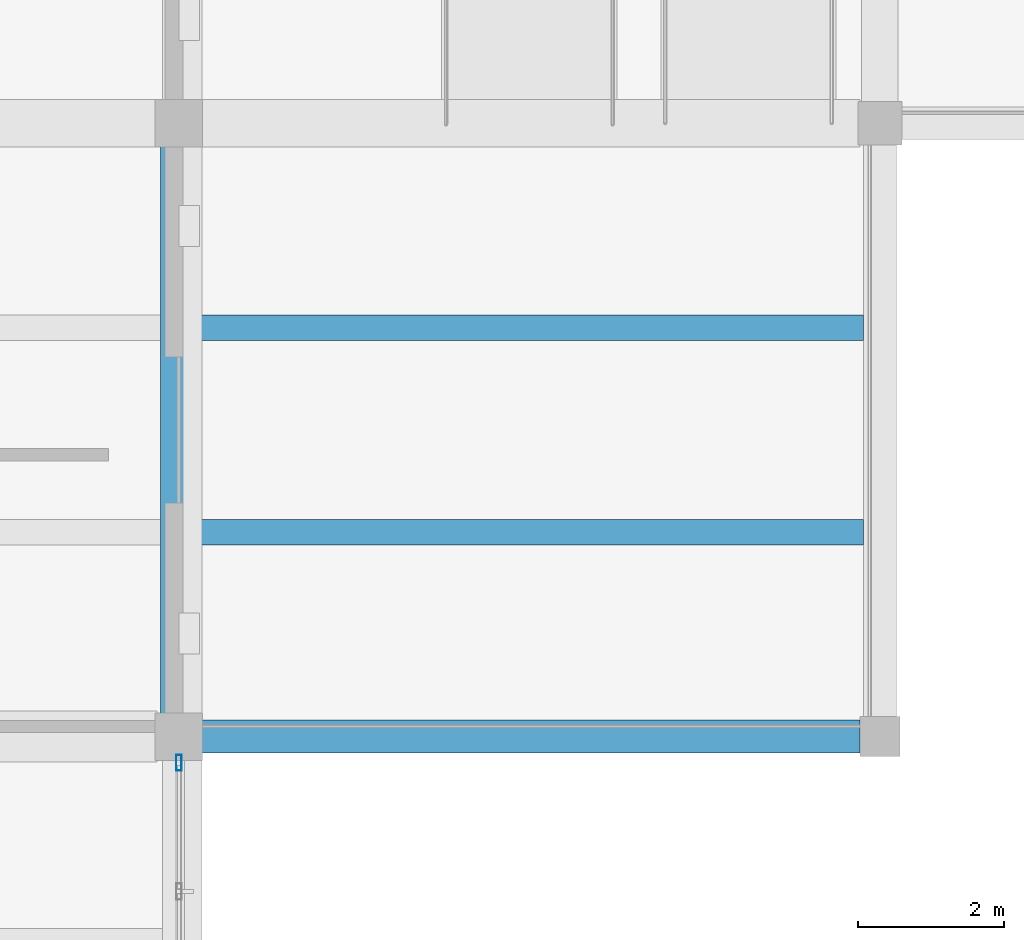
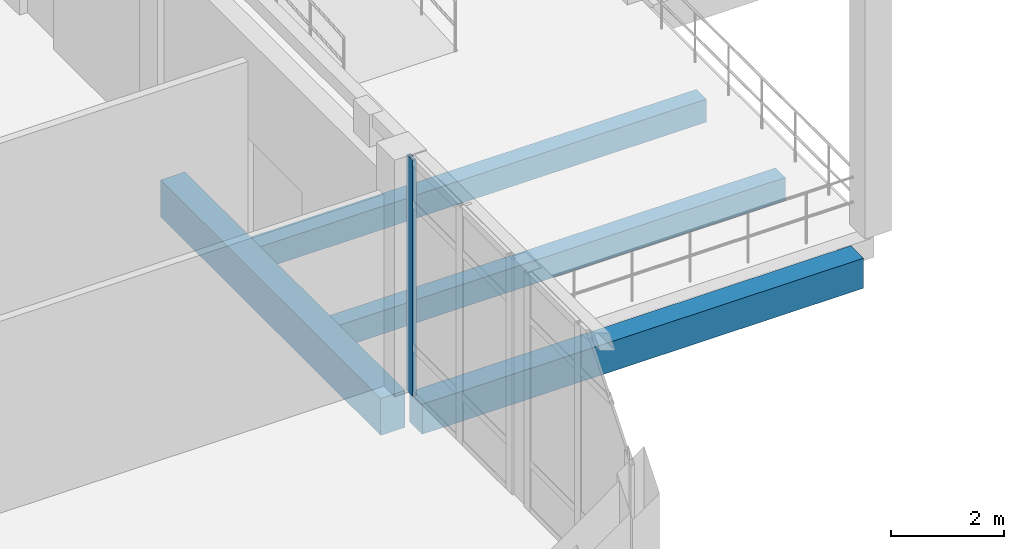
# One storey, part 37 of 71: 4 beams, 1 member, 1 element without a shape of its own.
"""IFC4 building model written with IfcOpenShell, lengths in metres."""

from ifc_helpers import new_model, si_unit, direction, frame, origin, origin_2d, place, context, subcontext, project, spatial, rectangle, hollow_rectangle, extrude, material, layer, layer_set, material_profile, profile_set, type_object, element, aggregate, save


model = new_model("IFC4")

# Units and contexts
model_context = context("Model", 3, precision=1e-05, world=origin(), true_north=direction((0.0, 1.0)))
body_context = subcontext(model_context, "Body", "Model", "MODEL_VIEW")
ifc_project = project(units=[si_unit("LENGTHUNIT", "METRE"), si_unit("AREAUNIT", "SQUARE_METRE"), si_unit("VOLUMEUNIT", "CUBIC_METRE"), si_unit("PLANEANGLEUNIT", "RADIAN"), si_unit("MASSUNIT", "GRAM", prefix="KILO")], contexts=[model_context])

# Site, building, storey
site_placement = place(None, origin())
site = spatial("IfcSite", under=ifc_project, at=site_placement, CompositionType="ELEMENT")
building_placement = place(site_placement, origin())
building = spatial("IfcBuilding", under=site, at=building_placement, Name="Lornevale Opera House", CompositionType="ELEMENT")
storey_placement = place(building_placement, origin())
storey = spatial("IfcBuildingStorey", under=building, at=storey_placement, Name="L01", CompositionType="ELEMENT", Elevation=0.0)

# Beams
ifc_material_1 = material(Name="Concrete 35 MPa (CSA A23.1 N)", Category="concrete")
ifc_material_profile_1 = material_profile(ifc_material_1, rectangle(XDim=0.5, YDim=0.800048828125, at=origin_2d()), Name="RC500x800")
ifc_profile_set_1 = profile_set([ifc_material_profile_1], Name="Concrete 35 MPa (CSA A23.1 N)")
beam_type_1 = type_object("IfcBeamType", Name="Concrete Floor Beam 500x800", PredefinedType="USERDEFINED", material=ifc_profile_set_1)
beam_1_placement = place(storey_placement, frame((153.60009765625, 17.10009765625, -0.840087890625), z_axis=(0.0, 1.0, 0.0), x_axis=(-1.0, 0.0, 0.0)))
element("IfcBeam", 1, at=beam_1_placement, inside=storey, type_object=beam_type_1, Name="Concrete Floor Beam 500x800 1274", ObjectType="GIRDER", PredefinedType="USERDEFINED", context=body_context, shape_type="SweptSolid", body=[
    extrude(rectangle(XDim=0.5, YDim=0.800048828125, at=origin_2d()), origin(), (0.0, 0.0, 1.0), 7.7998046875),
])
ifc_material_profile_2 = material_profile(ifc_material_1, rectangle(XDim=0.35009765625, YDim=0.5, at=origin_2d()), Name="RC350x500")
ifc_profile_set_2 = profile_set([ifc_material_profile_2], Name="Concrete 35 MPa (CSA A23.1 N)")
beam_type_2 = type_object("IfcBeamType", Name="Concrete Secondary Rib 350x500", PredefinedType="JOIST", material=ifc_profile_set_2)
for number, where, z_axis, x_axis, name in (
    (2, (153.85009765625, 19.60009765625, -0.68994140625), (1.0, 0.0, 0.0), (0.0, 1.0, 0.0), "Concrete Secondary Rib 350x500 1661"),
    (3, (153.85009765625, 22.39990234375, -0.68994140625), (1.0, 0.0, 0.0), (0.0, 1.0, 0.0), "Concrete Secondary Rib 350x500 1662"),
):
    element("IfcBeam", number, at=place(storey_placement, frame(where, z_axis=z_axis, x_axis=x_axis)), inside=storey, type_object=beam_type_2, Name=name, PredefinedType="JOIST", context=body_context, shape_type="SweptSolid", body=[
        extrude(rectangle(XDim=0.35009765625, YDim=0.5, at=origin_2d()), origin(), (0.0, 0.0, 1.0), 9.125),
    ])
ifc_material_profile_3 = material_profile(ifc_material_1, rectangle(XDim=0.449951171875, YDim=0.64990234375, at=origin_2d()), Name="RC450x650")
ifc_profile_set_3 = profile_set([ifc_material_profile_3], Name="Concrete 35 MPa (CSA A23.1 N)")
beam_type_3 = type_object("IfcBeamType", Name="Concrete Spandrel Beam 450x650", PredefinedType="SPANDREL", material=ifc_profile_set_3)
beam_2_placement = place(storey_placement, frame((153.89990234375, 16.800048828125, -0.764892578125), z_axis=(1.0, 0.0, 0.0), x_axis=(0.0, 1.0, 0.0)))
element("IfcBeam", 4, at=beam_2_placement, inside=storey, type_object=beam_type_3, Name="Concrete Spandrel Beam 450x650 0888", PredefinedType="SPANDREL", context=body_context, shape_type="SweptSolid", body=[
    extrude(rectangle(XDim=0.449951171875, YDim=0.64990234375, at=origin_2d()), origin(), (0.0, 0.0, 1.0), 9.025146484375),
])

# Curtain wall, member
ifc_material_2 = material(Name="Anodized Oxide-Green Aluminium Framing", Category="aluminium")
ifc_layer = layer(ifc_material_2, 0.215087890625)
ifc_layer_set = layer_set([ifc_layer], Name="Anodized Oxide-Green Aluminium Framing")
curtain_wall_type = type_object("IfcCurtainWallType", Name="Grand Foyer Curtain Wall M2000", PredefinedType="NOTDEFINED", material=ifc_layer_set)
curtain_wall_placement = place(storey_placement, origin())
curtain_wall = element("IfcCurtainWall", 5, at=curtain_wall_placement, inside=storey, type_object=curtain_wall_type, Name="Grand Foyer Curtain Wall M2000 CW-019", PredefinedType="NOTDEFINED")
ifc_material_profile_4 = material_profile(ifc_material_2, hollow_rectangle(XDim=0.074951171875, YDim=0.219970703125, WallThickness=0.0048828125, at=origin_2d()), Name="ALU75x220x5")
ifc_profile_set_4 = profile_set([ifc_material_profile_4], Name="Anodized Oxide-Green Aluminium Framing")
member_type = type_object("IfcMemberType", Name="Curtain Wall Mullion 75x220", PredefinedType="MULLION", material=ifc_profile_set_4)
member_placement = place(storey_placement, frame((153.60009765625, 16.44140625, 0.0), z_axis=(0.0, 0.0, 1.0), x_axis=(1.0, 0.0, 0.0)))
member = element("IfcMember", 6, at=member_placement, type_object=member_type, Name="Curtain Wall Mullion 75x220 CW0307", PredefinedType="MULLION", context=body_context, shape_type="SweptSolid", body=[
    extrude(hollow_rectangle(XDim=0.074951171875, YDim=0.219970703125, WallThickness=0.0048828125, at=origin_2d()), origin(), (0.0, 0.0, 1.0), 5.10009765625),
])
aggregate(curtain_wall, [member])

save(model, "model.ifc")
